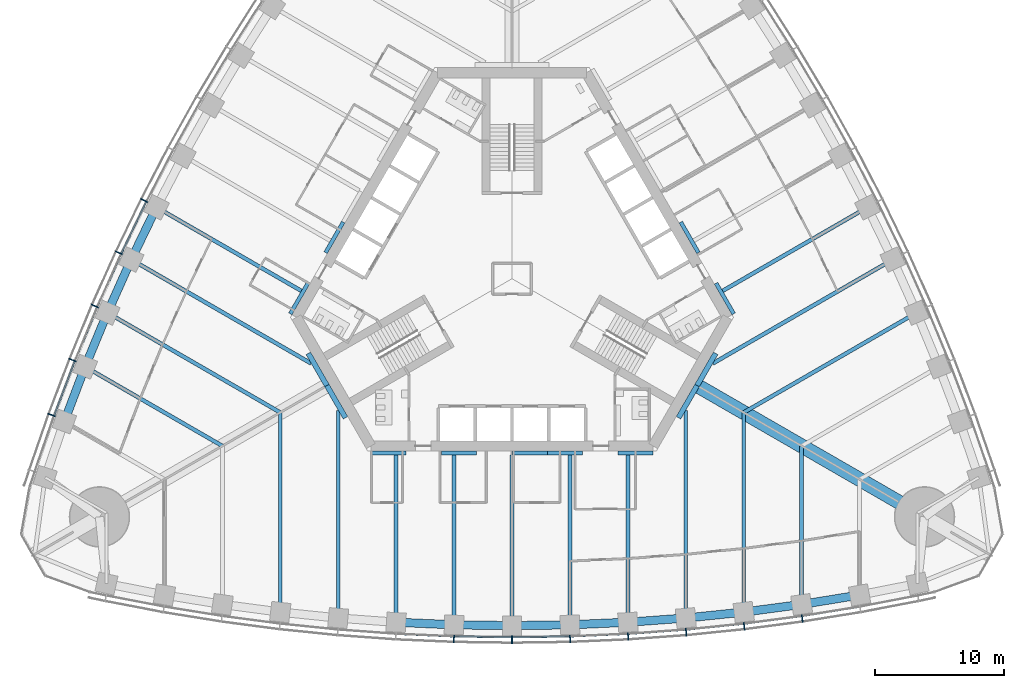
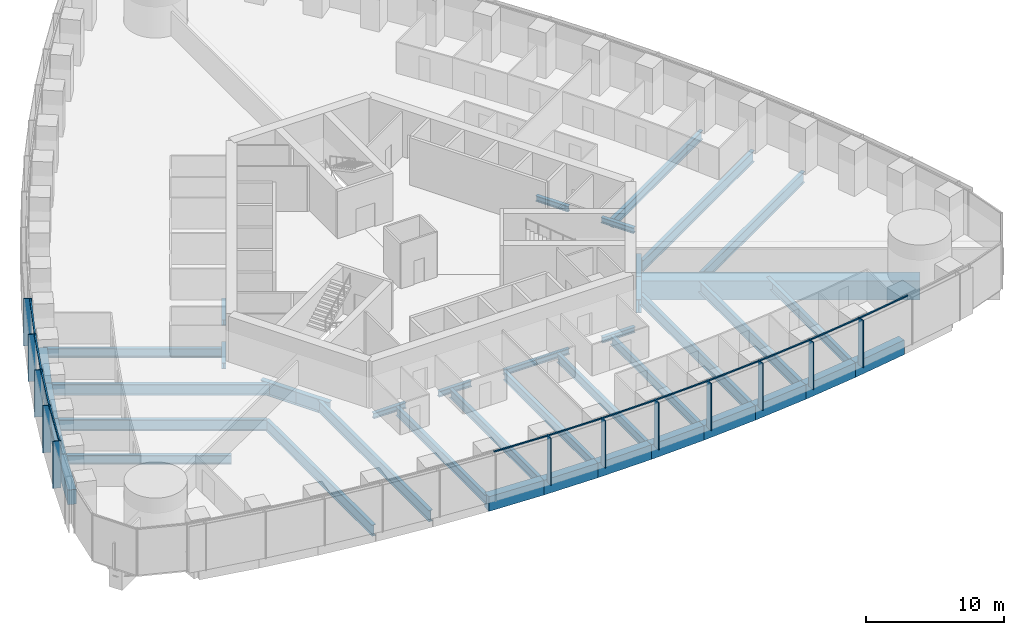
# One storey, part 3 of 19: 43 beams, 24 members, 2 elements without a shape of their own.
"""IFC4 building model written with IfcOpenShell, lengths in metres."""

from ifc_helpers import new_model, si_unit, direction, frame, origin, origin_2d, place, context, subcontext, project, spatial, rectangle, i_section, extrude, material, material_profile, profile_set, type_object, element, aggregate, save


model = new_model("IFC4")

# Units and contexts
model_context = context("Model", 3, precision=1e-05, world=origin(), true_north=direction((0.0, 1.0)))
body_context = subcontext(model_context, "Body", "Model", "MODEL_VIEW")
ifc_project = project(units=[si_unit("LENGTHUNIT", "METRE"), si_unit("AREAUNIT", "SQUARE_METRE"), si_unit("VOLUMEUNIT", "CUBIC_METRE"), si_unit("PLANEANGLEUNIT", "RADIAN"), si_unit("MASSUNIT", "GRAM", prefix="KILO")], contexts=[model_context])

# Site, building, storey
site_placement = place(None, origin())
site = spatial("IfcSite", under=ifc_project, at=site_placement, CompositionType="ELEMENT")
building_placement = place(site_placement, origin())
building = spatial("IfcBuilding", under=site, at=building_placement, Name="Trefoil Bronze Tower", CompositionType="ELEMENT")
storey_placement = place(building_placement, frame((0.0, 0.0, 45.89990234375)))
storey = spatial("IfcBuildingStorey", under=building, at=storey_placement, Name="L10", CompositionType="ELEMENT", Elevation=45.89990234375)

# Curtain wall, members
ifc_material_1 = material(Name="Tinted solar-control glass", Category="glass")
curtain_wall_type = type_object("IfcCurtainWallType", Name="Bronze office curtain wall", PredefinedType="USERDEFINED", material=ifc_material_1)
curtain_wall_1_placement = place(storey_placement, origin())
curtain_wall_1 = element("IfcCurtainWall", 1, at=curtain_wall_1_placement, inside=storey, type_object=curtain_wall_type, Name="CW-A L10 F1", ObjectType="CURTAIN WALL", PredefinedType="USERDEFINED")
ifc_material_2 = material(Name="Bronze-finish aluminium", Category="aluminium")
ifc_material_profile_1 = material_profile(ifc_material_2, rectangle(XDim=0.60009765625, YDim=0.080078125, at=origin_2d()), Name="CW-A mullion")
ifc_profile_set_1 = profile_set([ifc_material_profile_1], Name="Bronze-finish aluminium")
member_type_1 = type_object("IfcMemberType", Name="Bronze office curtain wall mullion", PredefinedType="MULLION", material=ifc_profile_set_1)
member_1_placement = place(storey_placement, frame((-4.5087890625, -27.9833984375, 0.0), z_axis=(0.0, 0.0, 1.0), x_axis=(0.029021671584, 0.999578782577, 0.0)))
member_1 = element("IfcMember", 2, at=member_1_placement, type_object=member_type_1, Name="CW-A L10 F1 mullion 8", PredefinedType="MULLION", context=body_context, shape_type="SweptSolid", body=[
    extrude(rectangle(XDim=0.60009765625, YDim=0.080078125, at=origin_2d()), origin(), (0.0, 0.0, 1.0), 4.18017578125),
])
member_2_placement = place(storey_placement, frame((0.0, -28.048828125, 0.0), z_axis=(0.0, 0.0, 1.0), x_axis=(0.0, 1.0, 0.0)))
member_2 = element("IfcMember", 3, at=member_2_placement, type_object=member_type_1, Name="CW-A L10 F1 mullion 9", PredefinedType="MULLION", context=body_context, shape_type="SweptSolid", body=[
    extrude(rectangle(XDim=0.60009765625, YDim=0.080078125, at=origin_2d()), origin(), (0.0, 0.0, 1.0), 4.18017578125),
])
member_3_placement = place(storey_placement, frame((4.5087890625, -27.9833984375, 0.0), z_axis=(0.0, 0.0, 1.0), x_axis=(-0.029021671584, 0.999578782577, 0.0)))
member_3 = element("IfcMember", 4, at=member_3_placement, type_object=member_type_1, Name="CW-A L10 F1 mullion 10", PredefinedType="MULLION", context=body_context, shape_type="SweptSolid", body=[
    extrude(rectangle(XDim=0.60009765625, YDim=0.080078125, at=origin_2d()), origin(), (0.0, 0.0, 1.0), 4.18017578125),
])
member_4_placement = place(storey_placement, frame((9.017333984375, -27.786865234375, 0.0), z_axis=(0.0, 0.0, 1.0), x_axis=(-0.058043374207, 0.998314062162, 0.0)))
member_4 = element("IfcMember", 5, at=member_4_placement, type_object=member_type_1, Name="CW-A L10 F1 mullion 11", PredefinedType="MULLION", context=body_context, shape_type="SweptSolid", body=[
    extrude(rectangle(XDim=0.60009765625, YDim=0.080078125, at=origin_2d()), origin(), (0.0, 0.0, 1.0), 4.18017578125),
])
member_5_placement = place(storey_placement, frame((13.526123046875, -27.458984375, 0.0), z_axis=(0.0, 0.0, 1.0), x_axis=(-0.087065139456, 0.996202620701, 0.0)))
member_5 = element("IfcMember", 6, at=member_5_placement, type_object=member_type_1, Name="CW-A L10 F1 mullion 12", PredefinedType="MULLION", context=body_context, shape_type="SweptSolid", body=[
    extrude(rectangle(XDim=0.60009765625, YDim=0.080078125, at=origin_2d()), origin(), (0.0, 0.0, 1.0), 4.18017578125),
])
member_6_placement = place(storey_placement, frame((18.034912109375, -26.99853515625, 0.0), z_axis=(0.0, 0.0, 1.0), x_axis=(-0.116086999973, 0.993239048989, 0.0)))
member_6 = element("IfcMember", 7, at=member_6_placement, type_object=member_type_1, Name="CW-A L10 F1 mullion 13", PredefinedType="MULLION", context=body_context, shape_type="SweptSolid", body=[
    extrude(rectangle(XDim=0.60009765625, YDim=0.080078125, at=origin_2d()), origin(), (0.0, 0.0, 1.0), 4.18017578125),
])
member_7_placement = place(storey_placement, frame((22.54345703125, -26.40478515625, 0.0), z_axis=(0.0, 0.0, 1.0), x_axis=(-0.145108990094, 0.989415676546, 0.0)))
member_7 = element("IfcMember", 8, at=member_7_placement, type_object=member_type_1, Name="CW-A L10 F1 mullion 14", PredefinedType="MULLION", context=body_context, shape_type="SweptSolid", body=[
    extrude(rectangle(XDim=0.60009765625, YDim=0.080078125, at=origin_2d()), origin(), (0.0, 0.0, 1.0), 4.18017578125),
])

curtain_wall_2_placement = place(storey_placement, origin())
curtain_wall_2 = element("IfcCurtainWall", 9, at=curtain_wall_2_placement, inside=storey, type_object=curtain_wall_type, Name="CW-A L10 F3", ObjectType="CURTAIN WALL", PredefinedType="USERDEFINED")
member_8_placement = place(storey_placement, frame((-28.57275390625, 6.084228515625, 0.0), z_axis=(0.0, 0.0, 1.0), x_axis=(0.893587025891, -0.448889994497, 0.0)))
member_8 = element("IfcMember", 10, at=member_8_placement, type_object=member_type_1, Name="CW-A L10 F3 mullion 11", PredefinedType="MULLION", context=body_context, shape_type="SweptSolid", body=[
    extrude(rectangle(XDim=0.60009765625, YDim=0.080078125, at=origin_2d()), origin(), (0.0, 0.0, 1.0), 4.18017578125),
])
member_9_placement = place(storey_placement, frame((-30.543212890625, 2.015380859375, 0.0), z_axis=(0.0, 0.0, 1.0), x_axis=(0.906269346572, -0.422700687798, 0.0)))
member_9 = element("IfcMember", 11, at=member_9_placement, type_object=member_type_1, Name="CW-A L10 F3 mullion 12", PredefinedType="MULLION", context=body_context, shape_type="SweptSolid", body=[
    extrude(rectangle(XDim=0.60009765625, YDim=0.080078125, at=origin_2d()), origin(), (0.0, 0.0, 1.0), 4.18017578125),
])
member_10_placement = place(storey_placement, frame((-32.39892578125, -2.119384765625, 0.0), z_axis=(0.0, 0.0, 1.0), x_axis=(0.918213748442, -0.396085233469, 0.0)))
member_10 = element("IfcMember", 12, at=member_10_placement, type_object=member_type_1, Name="CW-A L10 F3 mullion 13", PredefinedType="MULLION", context=body_context, shape_type="SweptSolid", body=[
    extrude(rectangle(XDim=0.60009765625, YDim=0.080078125, at=origin_2d()), origin(), (0.0, 0.0, 1.0), 4.18017578125),
])
member_11_placement = place(storey_placement, frame((-34.138916015625, -6.32080078125, 0.0), z_axis=(0.0, 0.0, 1.0), x_axis=(0.929413605838, -0.369039766534, 0.0)))
member_11 = element("IfcMember", 13, at=member_11_placement, type_object=member_type_1, Name="CW-A L10 F3 mullion 14", PredefinedType="MULLION", context=body_context, shape_type="SweptSolid", body=[
    extrude(rectangle(XDim=0.60009765625, YDim=0.080078125, at=origin_2d()), origin(), (0.0, 0.0, 1.0), 4.18017578125),
])
member_12_placement = place(storey_placement, frame((-35.761962890625, -10.590087890625, 0.0), z_axis=(0.0, 0.0, 1.0), x_axis=(0.939860248316, -0.341559238839, 0.0)))
member_12 = element("IfcMember", 14, at=member_12_placement, type_object=member_type_1, Name="CW-A L10 F3 mullion 15", PredefinedType="MULLION", context=body_context, shape_type="SweptSolid", body=[
    extrude(rectangle(XDim=0.60009765625, YDim=0.080078125, at=origin_2d()), origin(), (0.0, 0.0, 1.0), 4.18017578125),
])

# Member
ifc_material_3 = material(Name="Bronze-finish aluminium", Category="aluminium")
ifc_material_profile_2 = material_profile(ifc_material_3, rectangle(XDim=0.1201171875, YDim=0.10009765625, at=origin_2d()), Name="CW-A transom")
ifc_profile_set_2 = profile_set([ifc_material_profile_2], Name="Bronze-finish aluminium")
member_type_2 = type_object("IfcMemberType", Name="Bronze office curtain wall transom", PredefinedType="USERDEFINED", material=ifc_profile_set_2)
member_13_placement = place(storey_placement, frame((-8.96435546875, -27.589111328125, 4.130126953125), z_axis=(0.999054074786, -0.043485119914, 0.0), x_axis=(0.043485119914, 0.999054074786, 0.0)))
member_13 = element("IfcMember", 15, at=member_13_placement, type_object=member_type_2, Name="CW-A L10 F1 transom 7", ObjectType="TRANSOM", PredefinedType="USERDEFINED", context=body_context, shape_type="SweptSolid", body=[
    extrude(rectangle(XDim=0.1201171875, YDim=0.10009765625, at=origin_2d()), origin(), (0.0, 0.0, 1.0), 4.424072265625),
])

member_14_placement = place(storey_placement, frame((-4.46142578125, -27.783935546875, 4.130126953125), z_axis=(0.999894497273, -0.014525643658, 0.0), x_axis=(0.014525643658, 0.999894497273, 0.0)))
member_14 = element("IfcMember", 16, at=member_14_placement, type_object=member_type_2, Name="CW-A L10 F1 transom 8", ObjectType="TRANSOM", PredefinedType="USERDEFINED", context=body_context, shape_type="SweptSolid", body=[
    extrude(rectangle(XDim=0.1201171875, YDim=0.10009765625, at=origin_2d()), origin(), (0.0, 0.0, 1.0), 4.42041015625),
])

member_15_placement = place(storey_placement, frame((0.04150390625, -27.84814453125, 4.130126953125), z_axis=(0.999894497273, 0.014525643658, 0.0), x_axis=(-0.014525643658, 0.999894497273, 0.0)))
member_15 = element("IfcMember", 17, at=member_15_placement, type_object=member_type_2, Name="CW-A L10 F1 transom 9", ObjectType="TRANSOM", PredefinedType="USERDEFINED", context=body_context, shape_type="SweptSolid", body=[
    extrude(rectangle(XDim=0.1201171875, YDim=0.10009765625, at=origin_2d()), origin(), (0.0, 0.0, 1.0), 4.42041015625),
])

member_16_placement = place(storey_placement, frame((4.54443359375, -27.781494140625, 4.130126953125), z_axis=(0.999054074786, 0.043485119914, 0.0), x_axis=(-0.043485119914, 0.999054074786, 0.0)))
member_16 = element("IfcMember", 18, at=member_16_placement, type_object=member_type_2, Name="CW-A L10 F1 transom 10", ObjectType="TRANSOM", PredefinedType="USERDEFINED", context=body_context, shape_type="SweptSolid", body=[
    extrude(rectangle(XDim=0.1201171875, YDim=0.10009765625, at=origin_2d()), origin(), (0.0, 0.0, 1.0), 4.424072265625),
])

member_17_placement = place(storey_placement, frame((9.047119140625, -27.584228515625, 4.130126953125), z_axis=(0.997364729945, 0.07255064067, 0.0), x_axis=(-0.07255064067, 0.997364729945, 0.0)))
member_17 = element("IfcMember", 19, at=member_17_placement, type_object=member_type_2, Name="CW-A L10 F1 transom 11", ObjectType="TRANSOM", PredefinedType="USERDEFINED", context=body_context, shape_type="SweptSolid", body=[
    extrude(rectangle(XDim=0.1201171875, YDim=0.10009765625, at=origin_2d()), origin(), (0.0, 0.0, 1.0), 4.431884765625),
])

member_18_placement = place(storey_placement, frame((13.550048828125, -27.25537109375, 4.130126953125), z_axis=(0.994831650915, 0.101538102888, 0.0), x_axis=(-0.101538102888, 0.994831650915, 0.0)))
member_18 = element("IfcMember", 20, at=member_18_placement, type_object=member_type_2, Name="CW-A L10 F1 transom 12", ObjectType="TRANSOM", PredefinedType="USERDEFINED", context=body_context, shape_type="SweptSolid", body=[
    extrude(rectangle(XDim=0.1201171875, YDim=0.10009765625, at=origin_2d()), origin(), (0.0, 0.0, 1.0), 4.443359375),
])

member_19_placement = place(storey_placement, frame((18.052734375, -26.79443359375, 4.130126953125), z_axis=(0.991436581643, 0.13058906761, 0.0), x_axis=(-0.13058906761, 0.991436581643, 0.0)))
member_19 = element("IfcMember", 21, at=member_19_placement, type_object=member_type_2, Name="CW-A L10 F1 transom 13", ObjectType="TRANSOM", PredefinedType="USERDEFINED", context=body_context, shape_type="SweptSolid", body=[
    extrude(rectangle(XDim=0.1201171875, YDim=0.10009765625, at=origin_2d()), origin(), (0.0, 0.0, 1.0), 4.458740234375),
])

member_20_placement = place(storey_placement, frame((22.555419921875, -26.2001953125, 4.130126953125), z_axis=(0.987179401487, 0.159614627398, 0.0), x_axis=(-0.159614627398, 0.987179401487, 0.0)))
member_20 = element("IfcMember", 22, at=member_20_placement, type_object=member_type_2, Name="CW-A L10 F1 transom 14", ObjectType="TRANSOM", PredefinedType="USERDEFINED", context=body_context, shape_type="SweptSolid", body=[
    extrude(rectangle(XDim=0.1201171875, YDim=0.10009765625, at=origin_2d()), origin(), (0.0, 0.0, 1.0), 4.478515625),
])

aggregate(curtain_wall_1, [member_1, member_2, member_3, member_4, member_5, member_6, member_7, member_13, member_14, member_15, member_16, member_17, member_18, member_19, member_20])

member_21_placement = place(storey_placement, frame((-28.412109375, 5.95703125, 4.130126953125), z_axis=(-0.435851763293, -0.900018466719, 0.0), x_axis=(0.900018466719, -0.435851763293, 0.0)))
member_21 = element("IfcMember", 23, at=member_21_placement, type_object=member_type_2, Name="CW-A L10 F3 transom 11", ObjectType="TRANSOM", PredefinedType="USERDEFINED", context=body_context, shape_type="SweptSolid", body=[
    extrude(rectangle(XDim=0.1201171875, YDim=0.10009765625, at=origin_2d()), origin(), (0.0, 0.0, 1.0), 4.431884765625),
])

member_22_placement = place(storey_placement, frame((-30.37890625, 1.89306640625, 4.130126953125), z_axis=(-0.409459746452, -0.912328184392, 0.0), x_axis=(0.912328184392, -0.409459746452, 0.0)))
member_22 = element("IfcMember", 24, at=member_22_placement, type_object=member_type_2, Name="CW-A L10 F3 transom 12", ObjectType="TRANSOM", PredefinedType="USERDEFINED", context=body_context, shape_type="SweptSolid", body=[
    extrude(rectangle(XDim=0.1201171875, YDim=0.10009765625, at=origin_2d()), origin(), (0.0, 0.0, 1.0), 4.443359375),
])

member_23_placement = place(storey_placement, frame((-32.231201171875, -2.23681640625, 4.130126953125), z_axis=(-0.382616149417, -0.923907399151, 0.0), x_axis=(0.923907399151, -0.382616149417, 0.0)))
member_23 = element("IfcMember", 25, at=member_23_placement, type_object=member_type_2, Name="CW-A L10 F3 transom 13", ObjectType="TRANSOM", PredefinedType="USERDEFINED", context=body_context, shape_type="SweptSolid", body=[
    extrude(rectangle(XDim=0.1201171875, YDim=0.10009765625, at=origin_2d()), origin(), (0.0, 0.0, 1.0), 4.458984375),
])

member_24_placement = place(storey_placement, frame((-33.9677734375, -6.433349609375, 4.130126953125), z_axis=(-0.355367327392, -0.934726731522, 0.0), x_axis=(0.934726731522, -0.355367327392, 0.0)))
member_24 = element("IfcMember", 26, at=member_24_placement, type_object=member_type_2, Name="CW-A L10 F3 transom 14", ObjectType="TRANSOM", PredefinedType="USERDEFINED", context=body_context, shape_type="SweptSolid", body=[
    extrude(rectangle(XDim=0.1201171875, YDim=0.10009765625, at=origin_2d()), origin(), (0.0, 0.0, 1.0), 4.478515625),
])

aggregate(curtain_wall_2, [member_8, member_9, member_10, member_11, member_12, member_21, member_22, member_23, member_24])

# Beams
ifc_material_4 = material(Name="Steel C355", Category="steel")
ifc_material_profile_3 = material_profile(ifc_material_4, i_section(OverallWidth=0.300048828125, OverallDepth=0.5, WebThickness=0.014404296875, FlangeThickness=0.028076171875, FilletRadius=0.027099609375, at=origin_2d()), Name="HEB 500")
ifc_profile_set_3 = profile_set([ifc_material_profile_3], Name="Steel C355")
beam_type_1 = type_object("IfcBeamType", Name="Core seat beam HEB 500", PredefinedType="BEAM", material=ifc_profile_set_3)
for number, where, z_axis, x_axis, name in (
    (27, (-10.9697265625, -13.550048828125, -0.449951171875), (1.0, 0.0, 0.0), (0.0, 1.0, 0.0), "Core seat beam F1/-2 L10"),
    (28, (-5.48486328125, -13.550048828125, -0.449951171875), (1.0, 0.0, 0.0), (0.0, 1.0, 0.0), "Core seat beam F1/-1 L10"),
    (29, (0.0, -13.550048828125, -0.449951171875), (1.0, 0.0, 0.0), (0.0, 1.0, 0.0), "Core seat beam F1/+0 L10"),
    (30, (2.742431640625, -13.550048828125, -0.449951171875), (1.0, 0.0, 0.0), (0.0, 1.0, 0.0), "Core seat beam F1/+1 L10"),
    (31, (8.227294921875, -13.550048828125, -0.449951171875), (1.0, 0.0, 0.0), (0.0, 1.0, 0.0), "Core seat beam F1/+2 L10"),
    (32, (17.219482421875, -2.72509765625, -0.449951171875), (-0.500035825175, 0.866004719122, 0.0), (-0.866004719122, -0.500035825175, 0.0), "Core seat beam F2/-2 L10"),
    (33, (14.47705078125, 2.02490234375, -0.449951171875), (-0.499969057507, 0.866043267704, 0.0), (-0.866043267704, -0.499969057507, 0.0), "Core seat beam F2/-1 L10"),
    (34, (-13.10595703125, 4.39990234375, -0.449951171875), (-0.499969057507, -0.866043267704, 0.0), (0.866043267704, -0.499969057507, 0.0), "Core seat beam F3/+1 L10"),
    (35, (-15.84814453125, -0.35009765625, -0.449951171875), (-0.500035825175, -0.866004719122, 0.0), (0.866004719122, -0.500035825175, 0.0), "Core seat beam F3/+2 L10"),
):
    element("IfcBeam", number, at=place(storey_placement, frame(where, z_axis=z_axis, x_axis=x_axis)), inside=storey, type_object=beam_type_1, Name=name, PredefinedType="BEAM", context=body_context, shape_type="SweptSolid", body=[
        extrude(i_section(OverallWidth=0.300048828125, OverallDepth=0.5, WebThickness=0.014404296875, FlangeThickness=0.028076171875, FilletRadius=0.027099609375, at=origin_2d()), origin(), (0.0, 0.0, 1.0), 2.742431640625),
    ])
ifc_material_5 = material(Name="Steel C355", Category="steel")
ifc_material_profile_4 = material_profile(ifc_material_5, i_section(OverallWidth=0.39990234375, OverallDepth=1.199951171875, WebThickness=0.02001953125, FlangeThickness=0.0400390625, FilletRadius=0.010009765625, at=origin_2d()), Name="WPG 1200")
ifc_profile_set_4 = profile_set([ifc_material_profile_4], Name="Steel C355")
beam_type_2 = type_object("IfcBeamType", Name="Core seat beam WPG 1200", PredefinedType="BEAM", material=ifc_profile_set_4)
for number, where, z_axis, x_axis, name in (
    (36, (-14.3759765625, -8.300048828125, -0.7998046875), (0.499995765644, -0.866027848477, 0.0), (0.866027848477, 0.499995765644, 0.0), "Core seat beam F1/-3 L10"),
    (37, (12.9326171875, -10.800048828125, -0.7998046875), (0.499995765644, 0.866027848477, 0.0), (-0.866027848477, 0.499995765644, 0.0), "Core seat beam F1/+3 L10"),
    (38, (14.3759765625, -8.300048828125, -0.7998046875), (0.499995765644, 0.866027848477, 0.0), (-0.866027848477, 0.499995765644, 0.0), "Core seat beam F2/-3 L10"),
    (39, (-15.8193359375, -5.800048828125, -0.7998046875), (0.499995765644, -0.866027848477, 0.0), (0.866027848477, 0.499995765644, 0.0), "Core seat beam F3/+3 L10"),
):
    element("IfcBeam", number, at=place(storey_placement, frame(where, z_axis=z_axis, x_axis=x_axis)), inside=storey, type_object=beam_type_2, Name=name, PredefinedType="BEAM", context=body_context, shape_type="SweptSolid", body=[
        extrude(i_section(OverallWidth=0.39990234375, OverallDepth=1.199951171875, WebThickness=0.02001953125, FlangeThickness=0.0400390625, FilletRadius=0.010009765625, at=origin_2d()), origin(), (0.0, 0.0, 1.0), 2.88671875),
    ])
ifc_material_6 = material(Name="Concrete B80", Category="concrete")
ifc_material_profile_5 = material_profile(ifc_material_6, rectangle(XDim=1.10009765625, YDim=1.699951171875, at=origin_2d()), Name="RC 1100x1700")
ifc_profile_set_5 = profile_set([ifc_material_profile_5], Name="Concrete B80")
beam_type_3 = type_object("IfcBeamType", Name="Corner girder RC 1100x1700", PredefinedType="BEAM", material=ifc_profile_set_5)
beam_1_placement = place(storey_placement, frame((14.202880859375, -8.199951171875, -1.0498046875), z_axis=(0.866023947468, -0.500002522405, 0.0), x_axis=(0.500002522405, 0.866023947468, 0.0)))
element("IfcBeam", 40, at=beam_1_placement, inside=storey, type_object=beam_type_3, Name="Corner girder K1 L10", PredefinedType="BEAM", context=body_context, shape_type="SweptSolid", body=[
    extrude(rectangle(XDim=1.10009765625, YDim=1.699951171875, at=origin_2d()), origin(), (0.0, 0.0, 1.0), 20.60009765625),
])
ifc_material_7 = material(Name="Steel C355", Category="steel")
ifc_material_profile_6 = material_profile(ifc_material_7, i_section(OverallWidth=0.300048828125, OverallDepth=1.0, WebThickness=0.01904296875, FlangeThickness=0.035888671875, FilletRadius=0.030029296875, at=origin_2d()), Name="HEB 1000")
ifc_profile_set_6 = profile_set([ifc_material_profile_6], Name="Steel C355")
beam_type_4 = type_object("IfcBeamType", Name="Floor beam HEB 1000", PredefinedType="BEAM", material=ifc_profile_set_6)
for number, where, z_axis, x_axis, name in (
    (41, (-18.0, -25.895263671875, -0.699951171875), (0.0, 1.0, 0.0), (-1.0, 0.0, 0.0), "Floor beam F1/-4 L10"),
    (42, (18.0, -25.895263671875, -0.699951171875), (0.0, 1.0, 0.0), (-1.0, 0.0, 0.0), "Floor beam F1/+4 L10"),
):
    element("IfcBeam", number, at=place(storey_placement, frame(where, z_axis=z_axis, x_axis=x_axis)), inside=storey, type_object=beam_type_4, Name=name, PredefinedType="BEAM", context=body_context, shape_type="SweptSolid", body=[
        extrude(i_section(OverallWidth=0.300048828125, OverallDepth=1.0, WebThickness=0.01904296875, FlangeThickness=0.035888671875, FilletRadius=0.030029296875, at=origin_2d()), origin(), (0.0, 0.0, 1.0), 15.5029296875),
    ])
for number, where, z_axis, x_axis, name in (
    (43, (31.42578125, -2.640869140625, -0.699951171875), (-0.866022989816, -0.500004181093, 0.0), (0.500004181093, -0.866022989816, 0.0), "Floor beam F2/-4 L10"),
    (44, (-31.42578125, -2.640869140625, -0.699951171875), (0.866022989816, -0.500004181093, 0.0), (0.500004181093, 0.866022989816, 0.0), "Floor beam F3/+4 L10"),
):
    element("IfcBeam", number, at=place(storey_placement, frame(where, z_axis=z_axis, x_axis=x_axis)), inside=storey, type_object=beam_type_4, Name=name, PredefinedType="BEAM", context=body_context, shape_type="SweptSolid", body=[
        extrude(i_section(OverallWidth=0.300048828125, OverallDepth=1.0, WebThickness=0.01904296875, FlangeThickness=0.035888671875, FilletRadius=0.030029296875, at=origin_2d()), origin(), (0.0, 0.0, 1.0), 15.502685546875),
    ])
ifc_material_8 = material(Name="Steel C355", Category="steel")
ifc_material_profile_7 = material_profile(ifc_material_8, i_section(OverallWidth=0.300048828125, OverallDepth=0.800048828125, WebThickness=0.017578125, FlangeThickness=0.032958984375, FilletRadius=0.030029296875, at=origin_2d()), Name="HEB 800")
ifc_profile_set_7 = profile_set([ifc_material_profile_7], Name="Steel C355")
beam_type_5 = type_object("IfcBeamType", Name="Floor beam HEB 800", PredefinedType="BEAM", material=ifc_profile_set_7)
beam_2_placement = place(storey_placement, frame((-9.0, -26.68603515625, -0.599853515625), z_axis=(0.0, 1.0, 0.0), x_axis=(-1.0, 0.0, 0.0)))
element("IfcBeam", 45, at=beam_2_placement, inside=storey, type_object=beam_type_5, Name="Floor beam F1/-2 L10", PredefinedType="BEAM", context=body_context, shape_type="SweptSolid", body=[
    extrude(i_section(OverallWidth=0.300048828125, OverallDepth=0.800048828125, WebThickness=0.017578125, FlangeThickness=0.032958984375, FilletRadius=0.030029296875, at=origin_2d()), origin(), (0.0, 0.0, 1.0), 12.986083984375),
])
beam_3_placement = place(storey_placement, frame((-4.5, -26.883056640625, -0.599853515625), z_axis=(0.0, 1.0, 0.0), x_axis=(-1.0, 0.0, 0.0)))
element("IfcBeam", 46, at=beam_3_placement, inside=storey, type_object=beam_type_5, Name="Floor beam F1/-1 L10", PredefinedType="BEAM", context=body_context, shape_type="SweptSolid", body=[
    extrude(i_section(OverallWidth=0.300048828125, OverallDepth=0.800048828125, WebThickness=0.017578125, FlangeThickness=0.032958984375, FilletRadius=0.030029296875, at=origin_2d()), origin(), (0.0, 0.0, 1.0), 13.18310546875),
])
beam_4_placement = place(storey_placement, frame((0.0, -26.94873046875, -0.599853515625), z_axis=(0.0, 1.0, 0.0), x_axis=(-1.0, 0.0, 0.0)))
element("IfcBeam", 47, at=beam_4_placement, inside=storey, type_object=beam_type_5, Name="Floor beam F1/+0 L10", PredefinedType="BEAM", context=body_context, shape_type="SweptSolid", body=[
    extrude(i_section(OverallWidth=0.300048828125, OverallDepth=0.800048828125, WebThickness=0.017578125, FlangeThickness=0.032958984375, FilletRadius=0.030029296875, at=origin_2d()), origin(), (0.0, 0.0, 1.0), 13.248779296875),
])
beam_5_placement = place(storey_placement, frame((4.5, -26.883056640625, -0.599853515625), z_axis=(0.0, 1.0, 0.0), x_axis=(-1.0, 0.0, 0.0)))
element("IfcBeam", 48, at=beam_5_placement, inside=storey, type_object=beam_type_5, Name="Floor beam F1/+1 L10", PredefinedType="BEAM", context=body_context, shape_type="SweptSolid", body=[
    extrude(i_section(OverallWidth=0.300048828125, OverallDepth=0.800048828125, WebThickness=0.017578125, FlangeThickness=0.032958984375, FilletRadius=0.030029296875, at=origin_2d()), origin(), (0.0, 0.0, 1.0), 13.18310546875),
])
beam_6_placement = place(storey_placement, frame((9.0, -26.68603515625, -0.599853515625), z_axis=(0.0, 1.0, 0.0), x_axis=(-1.0, 0.0, 0.0)))
element("IfcBeam", 49, at=beam_6_placement, inside=storey, type_object=beam_type_5, Name="Floor beam F1/+2 L10", PredefinedType="BEAM", context=body_context, shape_type="SweptSolid", body=[
    extrude(i_section(OverallWidth=0.300048828125, OverallDepth=0.800048828125, WebThickness=0.017578125, FlangeThickness=0.032958984375, FilletRadius=0.030029296875, at=origin_2d()), origin(), (0.0, 0.0, 1.0), 12.986083984375),
])
beam_7_placement = place(storey_placement, frame((22.5, -25.29931640625, -0.599853515625), z_axis=(0.0, 1.0, 0.0), x_axis=(-1.0, 0.0, 0.0)))
element("IfcBeam", 50, at=beam_7_placement, inside=storey, type_object=beam_type_5, Name="Floor beam F1/+5 L10", PredefinedType="BEAM", context=body_context, shape_type="SweptSolid", body=[
    extrude(i_section(OverallWidth=0.300048828125, OverallDepth=0.800048828125, WebThickness=0.017578125, FlangeThickness=0.032958984375, FilletRadius=0.030029296875, at=origin_2d()), origin(), (0.0, 0.0, 1.0), 12.308837890625),
])
for number, where, z_axis, x_axis, name in (
    (51, (27.61083984375, 5.548828125, -0.599853515625), (-0.866022474361, -0.500005073876, 0.0), (0.500005073876, -0.866022474361, 0.0), "Floor beam F2/-2 L10"),
    (52, (-27.61083984375, 5.548828125, -0.599853515625), (0.866022474361, -0.500005073876, 0.0), (0.500005073876, 0.866022474361, 0.0), "Floor beam F3/+2 L10"),
):
    element("IfcBeam", number, at=place(storey_placement, frame(where, z_axis=z_axis, x_axis=x_axis)), inside=storey, type_object=beam_type_5, Name=name, PredefinedType="BEAM", context=body_context, shape_type="SweptSolid", body=[
        extrude(i_section(OverallWidth=0.300048828125, OverallDepth=0.800048828125, WebThickness=0.017578125, FlangeThickness=0.032958984375, FilletRadius=0.030029296875, at=origin_2d()), origin(), (0.0, 0.0, 1.0), 12.986083984375),
    ])
beam_8_placement = place(storey_placement, frame((-33.159912109375, -6.8359375, -0.599853515625), z_axis=(0.866024070878, -0.500002308654, 0.0), x_axis=(0.500002308654, 0.866024070878, 0.0)))
element("IfcBeam", 53, at=beam_8_placement, inside=storey, type_object=beam_type_5, Name="Floor beam F3/+5 L10", PredefinedType="BEAM", context=body_context, shape_type="SweptSolid", body=[
    extrude(i_section(OverallWidth=0.300048828125, OverallDepth=0.800048828125, WebThickness=0.017578125, FlangeThickness=0.032958984375, FilletRadius=0.030029296875, at=origin_2d()), origin(), (0.0, 0.0, 1.0), 12.30908203125),
])
ifc_material_9 = material(Name="Steel C355", Category="steel")
ifc_material_profile_8 = material_profile(ifc_material_9, i_section(OverallWidth=0.302001953125, OverallDepth=1.008056640625, WebThickness=0.02099609375, FlangeThickness=0.0400390625, FilletRadius=0.030029296875, at=origin_2d()), Name="HEM 1000")
ifc_profile_set_8 = profile_set([ifc_material_profile_8], Name="Steel C355")
beam_type_6 = type_object("IfcBeamType", Name="Floor beam HEM 1000", PredefinedType="BEAM", material=ifc_profile_set_8)
for number, where, z_axis, x_axis, name in (
    (54, (-13.5, -26.35693359375, -0.703857421875), (0.0, 1.0, 0.0), (-1.0, 0.0, 0.0), "Floor beam F1/-3 L10"),
    (55, (13.5, -26.35693359375, -0.703857421875), (0.0, 1.0, 0.0), (-1.0, 0.0, 0.0), "Floor beam F1/+3 L10"),
):
    element("IfcBeam", number, at=place(storey_placement, frame(where, z_axis=z_axis, x_axis=x_axis)), inside=storey, type_object=beam_type_6, Name=name, PredefinedType="BEAM", context=body_context, shape_type="SweptSolid", body=[
        extrude(i_section(OverallWidth=0.302001953125, OverallDepth=1.008056640625, WebThickness=0.02099609375, FlangeThickness=0.0400390625, FilletRadius=0.030029296875, at=origin_2d()), origin(), (0.0, 0.0, 1.0), 16.1396484375),
    ])
for number, where, z_axis, x_axis, name in (
    (56, (29.575927734375, 1.487060546875, -0.703857421875), (-0.866028401131, -0.499994808408, 0.0), (0.499994808408, -0.866028401131, 0.0), "Floor beam F2/-3 L10"),
    (57, (-29.575927734375, 1.487060546875, -0.703857421875), (0.866028401131, -0.499994808408, 0.0), (0.499994808408, 0.866028401131, 0.0), "Floor beam F3/+3 L10"),
):
    element("IfcBeam", number, at=place(storey_placement, frame(where, z_axis=z_axis, x_axis=x_axis)), inside=storey, type_object=beam_type_6, Name=name, PredefinedType="BEAM", context=body_context, shape_type="SweptSolid", body=[
        extrude(i_section(OverallWidth=0.302001953125, OverallDepth=1.008056640625, WebThickness=0.02099609375, FlangeThickness=0.0400390625, FilletRadius=0.030029296875, at=origin_2d()), origin(), (0.0, 0.0, 1.0), 16.139892578125),
    ])
ifc_material_10 = material(Name="Concrete B80", Category="concrete")
ifc_material_profile_9 = material_profile(ifc_material_10, rectangle(XDim=0.64990234375, YDim=1.300048828125, at=origin_2d()), Name="RC 650x1300")
ifc_profile_set_9 = profile_set([ifc_material_profile_9], Name="Concrete B80")
beam_type_7 = type_object("IfcBeamType", Name="Spandrel beam RC 650x1300", PredefinedType="SPANDREL", material=ifc_profile_set_9)
beam_9_placement = place(storey_placement, frame((-9.0, -26.68603515625, -0.849853515625), z_axis=(0.999042919826, -0.043740648671, 0.0), x_axis=(0.043740648671, 0.999042919826, 0.0)))
element("IfcBeam", 58, at=beam_9_placement, inside=storey, type_object=beam_type_7, Name="Spandrel F1.7 L10", PredefinedType="SPANDREL", context=body_context, shape_type="SweptSolid", body=[
    extrude(rectangle(XDim=0.64990234375, YDim=1.300048828125, at=origin_2d()), origin(), (0.0, 0.0, 1.0), 4.50439453125),
])
for number, where, z_axis, x_axis, name in (
    (59, (-4.5, -26.883056640625, -0.849853515625), (0.999893521905, -0.014592630067, 0.0), (0.014592630067, 0.999893521905, 0.0), "Spandrel F1.8 L10"),
    (60, (0.0, -26.94873046875, -0.849853515625), (0.999893521905, 0.014592630067, 0.0), (-0.014592630067, 0.999893521905, 0.0), "Spandrel F1.9 L10"),
):
    element("IfcBeam", number, at=place(storey_placement, frame(where, z_axis=z_axis, x_axis=x_axis)), inside=storey, type_object=beam_type_7, Name=name, PredefinedType="SPANDREL", context=body_context, shape_type="SweptSolid", body=[
        extrude(rectangle(XDim=0.64990234375, YDim=1.300048828125, at=origin_2d()), origin(), (0.0, 0.0, 1.0), 4.50048828125),
    ])
beam_10_placement = place(storey_placement, frame((4.5, -26.883056640625, -0.849853515625), z_axis=(0.999042919826, 0.043740648671, 0.0), x_axis=(-0.043740648671, 0.999042919826, 0.0)))
element("IfcBeam", 61, at=beam_10_placement, inside=storey, type_object=beam_type_7, Name="Spandrel F1.10 L10", PredefinedType="SPANDREL", context=body_context, shape_type="SweptSolid", body=[
    extrude(rectangle(XDim=0.64990234375, YDim=1.300048828125, at=origin_2d()), origin(), (0.0, 0.0, 1.0), 4.50439453125),
])
beam_11_placement = place(storey_placement, frame((9.0, -26.68603515625, -0.849853515625), z_axis=(0.997336412354, 0.072938882588, 0.0), x_axis=(-0.072938882588, 0.997336412354, 0.0)))
element("IfcBeam", 62, at=beam_11_placement, inside=storey, type_object=beam_type_7, Name="Spandrel F1.11 L10", PredefinedType="SPANDREL", context=body_context, shape_type="SweptSolid", body=[
    extrude(rectangle(XDim=0.64990234375, YDim=1.300048828125, at=origin_2d()), origin(), (0.0, 0.0, 1.0), 4.511962890625),
])
beam_12_placement = place(storey_placement, frame((13.5, -26.35693359375, -0.849853515625), z_axis=(0.994778488621, 0.102057623805, 0.0), x_axis=(-0.102057623805, 0.994778488621, 0.0)))
element("IfcBeam", 63, at=beam_12_placement, inside=storey, type_object=beam_type_7, Name="Spandrel F1.12 L10", PredefinedType="SPANDREL", context=body_context, shape_type="SweptSolid", body=[
    extrude(rectangle(XDim=0.64990234375, YDim=1.300048828125, at=origin_2d()), origin(), (0.0, 0.0, 1.0), 4.523681640625),
])
beam_13_placement = place(storey_placement, frame((18.0, -25.895263671875, -0.849853515625), z_axis=(0.991344474846, 0.131286450906, 0.0), x_axis=(-0.131286450906, 0.991344474846, 0.0)))
element("IfcBeam", 64, at=beam_13_placement, inside=storey, type_object=beam_type_7, Name="Spandrel F1.13 L10", PredefinedType="SPANDREL", context=body_context, shape_type="SweptSolid", body=[
    extrude(rectangle(XDim=0.64990234375, YDim=1.300048828125, at=origin_2d()), origin(), (0.0, 0.0, 1.0), 4.539306640625),
])
beam_14_placement = place(storey_placement, frame((22.5, -25.29931640625, -0.849853515625), z_axis=(0.987045951254, 0.160437807615, 0.0), x_axis=(-0.160437807615, 0.987045951254, 0.0)))
element("IfcBeam", 65, at=beam_14_placement, inside=storey, type_object=beam_type_7, Name="Spandrel F1.14 L10", PredefinedType="SPANDREL", context=body_context, shape_type="SweptSolid", body=[
    extrude(rectangle(XDim=0.64990234375, YDim=1.300048828125, at=origin_2d()), origin(), (0.0, 0.0, 1.0), 4.55908203125),
])
beam_15_placement = place(storey_placement, frame((-27.61083984375, 5.548828125, -0.849853515625), z_axis=(-0.435510013583, -0.900183885697, 0.0), x_axis=(0.900183885697, -0.435510013583, 0.0)))
element("IfcBeam", 66, at=beam_15_placement, inside=storey, type_object=beam_type_7, Name="Spandrel F3.11 L10", PredefinedType="SPANDREL", context=body_context, shape_type="SweptSolid", body=[
    extrude(rectangle(XDim=0.64990234375, YDim=1.300048828125, at=origin_2d()), origin(), (0.0, 0.0, 1.0), 4.51220703125),
])
beam_16_placement = place(storey_placement, frame((-29.575927734375, 1.487060546875, -0.849853515625), z_axis=(-0.408945873044, -0.912558640812, 0.0), x_axis=(0.912558640812, -0.408945873044, 0.0)))
element("IfcBeam", 67, at=beam_16_placement, inside=storey, type_object=beam_type_7, Name="Spandrel F3.12 L10", PredefinedType="SPANDREL", context=body_context, shape_type="SweptSolid", body=[
    extrude(rectangle(XDim=0.64990234375, YDim=1.300048828125, at=origin_2d()), origin(), (0.0, 0.0, 1.0), 4.5234375),
])
beam_17_placement = place(storey_placement, frame((-31.42578125, -2.640869140625, -0.849853515625), z_axis=(-0.382020825144, -0.924153715113, 0.0), x_axis=(0.924153715113, -0.382020825144, 0.0)))
element("IfcBeam", 68, at=beam_17_placement, inside=storey, type_object=beam_type_7, Name="Spandrel F3.13 L10", PredefinedType="SPANDREL", context=body_context, shape_type="SweptSolid", body=[
    extrude(rectangle(XDim=0.64990234375, YDim=1.300048828125, at=origin_2d()), origin(), (0.0, 0.0, 1.0), 4.539306640625),
])
beam_18_placement = place(storey_placement, frame((-33.159912109375, -6.8359375, -0.849853515625), z_axis=(-0.354571899767, -0.935028752443, 0.0), x_axis=(0.935028752443, -0.354571899767, 0.0)))
element("IfcBeam", 69, at=beam_18_placement, inside=storey, type_object=beam_type_7, Name="Spandrel F3.14 L10", PredefinedType="SPANDREL", context=body_context, shape_type="SweptSolid", body=[
    extrude(rectangle(XDim=0.64990234375, YDim=1.300048828125, at=origin_2d()), origin(), (0.0, 0.0, 1.0), 4.558837890625),
])

save(model, "model.ifc")
